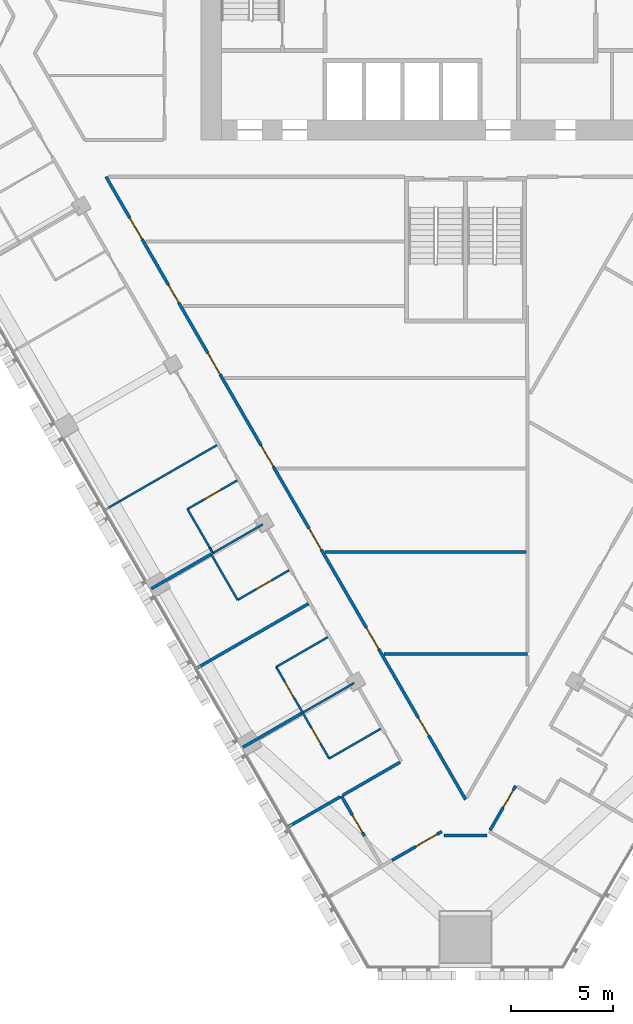
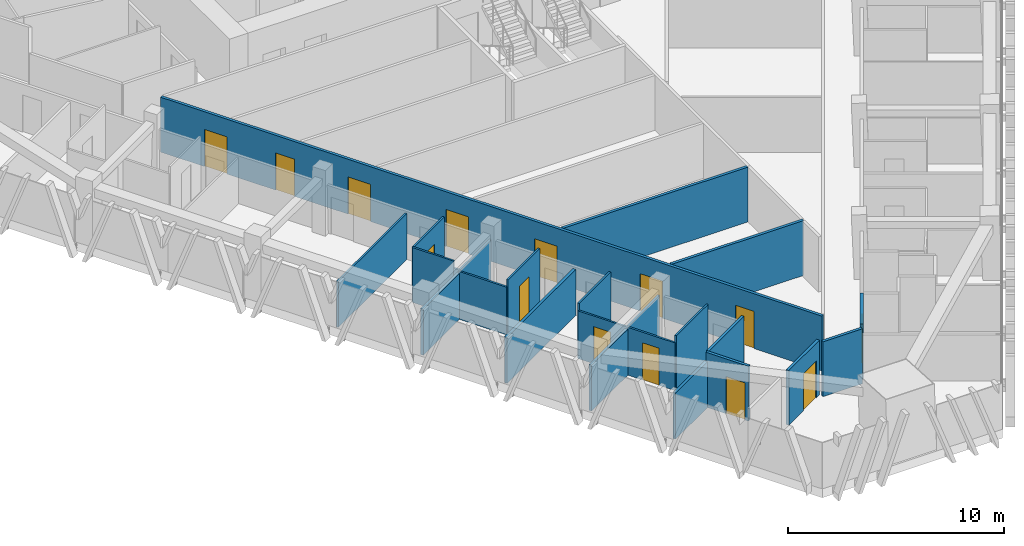
# One storey, part 10 of 18: 23 walls, 14 doors, 14 openings.
"""IFC4 building model written with IfcOpenShell, lengths in metres."""

from ifc_helpers import new_model, si_unit, direction, frame, frame_2d, origin, place, context, subcontext, project, spatial, rectangle, extrude, material, layer, layer_set, type_object, element, fill, save


model = new_model("IFC4")

# Units and contexts
model_context = context("Model", 3, precision=1e-05, world=origin(), true_north=direction((0.0, 1.0)))
body_context = subcontext(model_context, "Body", "Model", "MODEL_VIEW")
ifc_project = project(units=[si_unit("LENGTHUNIT", "METRE"), si_unit("AREAUNIT", "SQUARE_METRE"), si_unit("VOLUMEUNIT", "CUBIC_METRE"), si_unit("PLANEANGLEUNIT", "RADIAN"), si_unit("MASSUNIT", "GRAM", prefix="KILO")], contexts=[model_context])

# Site, building, storey
site_placement = place(None, origin())
site = spatial("IfcSite", under=ifc_project, at=site_placement, CompositionType="ELEMENT")
building_placement = place(site_placement, origin())
building = spatial("IfcBuilding", under=site, at=building_placement, Name="Altiplano Prism Tower", CompositionType="ELEMENT")
storey_placement = place(building_placement, frame((0.0, 0.0, 45.0)))
storey = spatial("IfcBuildingStorey", under=building, at=storey_placement, Name="L10", CompositionType="ELEMENT", Elevation=45.0)

# Walls
ifc_material_1 = material(Name="Plasterboard on steel stud", Category="steel")
ifc_layer_1 = layer(ifc_material_1, 0.10009765625)
ifc_layer_set_1 = layer_set([ifc_layer_1], Name="Plasterboard on steel stud")
wall_type_1 = type_object("IfcWallType", Name="Partition 100 unit", PredefinedType="PARTITIONING", material=ifc_layer_set_1)
wall_1_placement = place(storey_placement, frame((72.5810546875, 72.095703125, 0.0), z_axis=(0.0, 0.0, 1.0), x_axis=(-0.499816412211, 0.866131372301, 0.0)))
element("IfcWall", 1, at=wall_1_placement, inside=storey, type_object=wall_type_1, Name="Partition P02 L10 064", PredefinedType="PARTITIONING", context=body_context, shape_type="SweptSolid", body=[
    extrude(rectangle(XDim=0.2998046875, YDim=0.10009765625, at=frame_2d((0.14990234375, 0.0))), origin(), (0.0, 0.0, 1.0), 2.699951171875),
])
wall_2_placement = place(storey_placement, frame((72.43115234375, 72.35546875, 0.0), z_axis=(0.0, 0.0, 1.0), x_axis=(-0.50002983664, 0.866008176907, 0.0)))
element("IfcWall", 2, at=wall_2_placement, inside=storey, type_object=wall_type_1, Name="Partition P02 L10 065", PredefinedType="PARTITIONING", context=body_context, shape_type="SweptSolid", body=[
    extrude(rectangle(XDim=2.199951171875, YDim=0.10009765625, at=frame_2d((1.10009765625, 0.0))), origin(), (0.0, 0.0, 1.0), 3.10009765625),
])

# Wall, opening, door
wall_3_placement = place(storey_placement, frame((71.3310546875, 74.2607421875, 0.0), z_axis=(0.0, 0.0, 1.0), x_axis=(0.866048868473, 0.499959355765, 0.0)))
wall_3 = element("IfcWall", 3, at=wall_3_placement, inside=storey, type_object=wall_type_1, Name="Partition P02 L10 066", PredefinedType="PARTITIONING", context=body_context, shape_type="SweptSolid", body=[
    extrude(rectangle(XDim=2.824951171875, YDim=0.10009765625, at=frame_2d((1.41259765625, 0.0))), origin(), (0.0, 0.0, 1.0), 3.10009765625),
])
opening_1_placement = place(wall_3_placement, frame((1.0, 0.0, 0.0)))
opening_1 = element("IfcOpeningElement", 4, at=opening_1_placement, cuts=wall_3, Name="Opening D0384", PredefinedType="OPENING", context=body_context, shape_type="SweptSolid", body=[
    extrude(rectangle(XDim=0.89990234375, YDim=2.10009765625, at=frame_2d((0.449951171875, 1.050048828125))), frame((0.0, 0.060546875, 0.0), z_axis=(0.0, -1.0, 0.0), x_axis=(1.0, 0.0, 0.0)), (0.0, 0.0, 1.0), 0.12109375),
])
ifc_material_2 = material(Name="Timber", Category="wood")
door_type_1 = type_object("IfcDoorType", Name="Ensuite door 900 x 2100", OperationType="NOTDEFINED", PredefinedType="NOTDEFINED", material=ifc_material_2)
door_1_placement = place(opening_1_placement, origin())
door_1 = element("IfcDoor", 5, at=door_1_placement, inside=storey, type_object=door_type_1, Name="Door D0384", OperationType="SINGLE_SWING_RIGHT", OverallHeight=2.10009765625, OverallWidth=0.89990234375, PredefinedType="NOTDEFINED", context=body_context, shape_type="SweptSolid", body=[
    extrude(rectangle(XDim=0.89990234375, YDim=2.10009765625, at=frame_2d((0.449951171875, 1.050048828125))), frame((0.0, 0.02490234375, 0.0), z_axis=(0.0, -1.0, 0.0), x_axis=(1.0, 0.0, 0.0)), (0.0, 0.0, 1.0), 0.050048828125),
])
fill(opening_1, door_1)

wall_4_placement = place(storey_placement, frame((76.32763671875, 71.25634765625, 0.0), z_axis=(0.0, 0.0, 1.0), x_axis=(-0.866046596414, -0.499963291492, 0.0)))
wall_4 = element("IfcWall", 6, at=wall_4_placement, inside=storey, type_object=wall_type_1, Name="Partition P02 L10 069", PredefinedType="PARTITIONING", context=body_context, shape_type="SweptSolid", body=[
    extrude(rectangle(XDim=2.925048828125, YDim=0.10009765625, at=frame_2d((1.46240234375, 0.0))), origin(), (0.0, 0.0, 1.0), 3.10009765625),
])
opening_2_placement = place(wall_4_placement, frame((0.97509765625, 0.0, 0.0)))
opening_2 = element("IfcOpeningElement", 7, at=opening_2_placement, cuts=wall_4, Name="Opening D0386", PredefinedType="OPENING", context=body_context, shape_type="SweptSolid", body=[
    extrude(rectangle(XDim=0.89990234375, YDim=2.10009765625, at=frame_2d((0.449951171875, 1.050048828125))), frame((0.0, 0.060546875, 0.0), z_axis=(0.0, -1.0, 0.0), x_axis=(1.0, 0.0, 0.0)), (0.0, 0.0, 1.0), 0.12109375),
])
door_2_placement = place(opening_2_placement, origin())
door_2 = element("IfcDoor", 8, at=door_2_placement, inside=storey, type_object=door_type_1, Name="Door D0386", OperationType="SINGLE_SWING_LEFT", OverallHeight=2.10009765625, OverallWidth=0.89990234375, PredefinedType="NOTDEFINED", context=body_context, shape_type="SweptSolid", body=[
    extrude(rectangle(XDim=0.89990234375, YDim=2.10009765625, at=frame_2d((0.449951171875, 1.050048828125))), frame((0.0, 0.02490234375, 0.0), z_axis=(0.0, -1.0, 0.0), x_axis=(1.0, 0.0, 0.0)), (0.0, 0.0, 1.0), 0.050048828125),
])
fill(opening_2, door_2)

# Wall
wall_5_placement = place(storey_placement, frame((73.79443359375, 69.7939453125, 0.0), z_axis=(0.0, 0.0, 1.0), x_axis=(-0.500006934395, 0.866021400173, 0.0)))
element("IfcWall", 9, at=wall_5_placement, inside=storey, type_object=wall_type_1, Name="Partition P02 L10 070", PredefinedType="PARTITIONING", context=body_context, shape_type="SweptSolid", body=[
    extrude(rectangle(XDim=2.60009765625, YDim=0.10009765625, at=frame_2d((1.300048828125, 0.0))), origin(), (0.0, 0.0, 1.0), 2.699951171875),
])

# Wall, openings, doors
wall_6_placement = place(storey_placement, frame((78.29443359375, 61.999755859375, 0.0), z_axis=(0.0, 0.0, 1.0), x_axis=(-0.499971721724, 0.866041729639, 0.0)))
wall_6 = element("IfcWall", 10, at=wall_6_placement, inside=storey, type_object=wall_type_1, Name="Partition P02 L10 072", PredefinedType="PARTITIONING", context=body_context, shape_type="SweptSolid", body=[
    extrude(rectangle(XDim=5.199951171875, YDim=0.10009765625, at=frame_2d((2.60009765625, 0.0))), origin(), (0.0, 0.0, 1.0), 2.699951171875),
])
opening_3_placement = place(wall_6_placement, frame((3.449951171875, 0.0, 0.0)))
opening_3 = element("IfcOpeningElement", 11, at=opening_3_placement, cuts=wall_6, Name="Opening D0388", PredefinedType="OPENING", context=body_context, shape_type="SweptSolid", body=[
    extrude(rectangle(XDim=0.89990234375, YDim=2.10009765625, at=frame_2d((0.449951171875, 1.050048828125))), frame((0.0, 0.060546875, 0.0), z_axis=(0.0, -1.0, 0.0), x_axis=(1.0, 0.0, 0.0)), (0.0, 0.0, 1.0), 0.12109375),
])
opening_4_placement = place(wall_6_placement, frame((0.85009765625, 0.0, 0.0)))
opening_4 = element("IfcOpeningElement", 12, at=opening_4_placement, cuts=wall_6, Name="Opening D0390", PredefinedType="OPENING", context=body_context, shape_type="SweptSolid", body=[
    extrude(rectangle(XDim=0.89990234375, YDim=2.10009765625, at=frame_2d((0.449951171875, 1.050048828125))), frame((0.0, 0.060546875, 0.0), z_axis=(0.0, -1.0, 0.0), x_axis=(1.0, 0.0, 0.0)), (0.0, 0.0, 1.0), 0.12109375),
])
door_3_placement = place(opening_3_placement, origin())
door_3 = element("IfcDoor", 13, at=door_3_placement, inside=storey, type_object=door_type_1, Name="Door D0388", OperationType="SINGLE_SWING_LEFT", OverallHeight=2.10009765625, OverallWidth=0.89990234375, PredefinedType="NOTDEFINED", context=body_context, shape_type="SweptSolid", body=[
    extrude(rectangle(XDim=0.89990234375, YDim=2.10009765625, at=frame_2d((0.449951171875, 1.050048828125))), frame((0.0, 0.02490234375, 0.0), z_axis=(0.0, -1.0, 0.0), x_axis=(1.0, 0.0, 0.0)), (0.0, 0.0, 1.0), 0.050048828125),
])
fill(opening_3, door_3)
door_4_placement = place(opening_4_placement, origin())
door_4 = element("IfcDoor", 14, at=door_4_placement, inside=storey, type_object=door_type_1, Name="Door D0390", OperationType="SINGLE_SWING_LEFT", OverallHeight=2.10009765625, OverallWidth=0.89990234375, PredefinedType="NOTDEFINED", context=body_context, shape_type="SweptSolid", body=[
    extrude(rectangle(XDim=0.89990234375, YDim=2.10009765625, at=frame_2d((0.449951171875, 1.050048828125))), frame((0.0, 0.02490234375, 0.0), z_axis=(0.0, -1.0, 0.0), x_axis=(1.0, 0.0, 0.0)), (0.0, 0.0, 1.0), 0.050048828125),
])
fill(opening_4, door_4)

# Walls
wall_7_placement = place(storey_placement, frame((75.694580078125, 66.503173828125, 0.0), z_axis=(0.0, 0.0, 1.0), x_axis=(0.866025730634, 0.499999433879, 0.0)))
element("IfcWall", 15, at=wall_7_placement, inside=storey, type_object=wall_type_1, Name="Partition P02 L10 073", PredefinedType="PARTITIONING", context=body_context, shape_type="SweptSolid", body=[
    extrude(rectangle(XDim=2.9248046875, YDim=0.10009765625, at=frame_2d((1.46240234375, 0.0))), origin(), (0.0, 0.0, 1.0), 3.10009765625),
])
wall_8_placement = place(storey_placement, frame((80.82763671875, 63.462158203125, 0.0), z_axis=(0.0, 0.0, 1.0), x_axis=(-0.866046596414, -0.499963291492, 0.0)))
element("IfcWall", 16, at=wall_8_placement, inside=storey, type_object=wall_type_1, Name="Partition P02 L10 076", PredefinedType="PARTITIONING", context=body_context, shape_type="SweptSolid", body=[
    extrude(rectangle(XDim=2.925048828125, YDim=0.10009765625, at=frame_2d((1.46240234375, 0.0))), origin(), (0.0, 0.0, 1.0), 3.10009765625),
])
ifc_layer_2 = layer(ifc_material_1, 0.10009765625)
ifc_layer_set_2 = layer_set([ifc_layer_2], Name="Plasterboard on steel stud")
wall_type_2 = type_object("IfcWallType", Name="Partition 100 wet", PredefinedType="PARTITIONING", material=ifc_layer_set_2)
wall_9_placement = place(storey_placement, frame((67.282470703125, 74.232666015625, 0.0), z_axis=(0.0, 0.0, 1.0), x_axis=(0.866025401434, 0.500000004071, 0.0)))
element("IfcWall", 17, at=wall_9_placement, inside=storey, type_object=wall_type_2, Name="Partition P03 L10 063", PredefinedType="PARTITIONING", context=body_context, shape_type="SweptSolid", body=[
    extrude(rectangle(XDim=6.34521484375, YDim=0.10009765625, at=frame_2d((3.172607421875, 0.0))), origin(), (0.0, 0.0, 1.0), 2.60009765625),
])
wall_10_placement = place(storey_placement, frame((72.563720703125, 72.085693359375, 0.0), z_axis=(0.0, 0.0, 1.0), x_axis=(0.866048401274, 0.499960165064, 0.0)))
element("IfcWall", 18, at=wall_10_placement, inside=storey, type_object=wall_type_2, Name="Partition P03 L10 068", PredefinedType="PARTITIONING", context=body_context, shape_type="SweptSolid", body=[
    extrude(rectangle(XDim=2.844970703125, YDim=0.10009765625, at=frame_2d((1.42236328125, 0.0))), origin(), (0.0, 0.0, 1.0), 2.699951171875),
])
wall_11_placement = place(storey_placement, frame((77.037841796875, 64.2763671875, 0.0), z_axis=(0.0, 0.0, 1.0), x_axis=(0.866018712932, 0.500011588718, 0.0)))
element("IfcWall", 19, at=wall_11_placement, inside=storey, type_object=wall_type_2, Name="Partition P03 L10 075", PredefinedType="PARTITIONING", context=body_context, shape_type="SweptSolid", body=[
    extrude(rectangle(XDim=2.875, YDim=0.10009765625, at=frame_2d((1.4375, 0.0))), origin(), (0.0, 0.0, 1.0), 2.699951171875),
])
ifc_layer_3 = layer(ifc_material_1, 0.14990234375)
ifc_layer_set_3 = layer_set([ifc_layer_3], Name="Plasterboard on steel stud")
wall_type_3 = type_object("IfcWallType", Name="Partition 150 corridor", PredefinedType="PARTITIONING", material=ifc_layer_set_3)
wall_12_placement = place(storey_placement, frame((81.777587890625, 61.81689453125, 0.0), z_axis=(0.0, 0.0, 1.0), x_axis=(-0.866015446554, -0.500017246033, 0.0)))
element("IfcWall", 20, at=wall_12_placement, inside=storey, type_object=wall_type_3, Name="Partition P06 L10 010", PredefinedType="PARTITIONING", context=body_context, shape_type="SweptSolid", body=[
    extrude(rectangle(XDim=3.25, YDim=0.14990234375, at=frame_2d((1.625, 0.0))), origin(), (0.0, 0.0, 1.0), 3.10009765625),
])

# Wall, opening, door
wall_13_placement = place(storey_placement, frame((78.898193359375, 60.154296875, 0.0), z_axis=(0.0, 0.0, 1.0), x_axis=(0.499921036309, -0.866070988693, 0.0)))
wall_13 = element("IfcWall", 21, at=wall_13_placement, inside=storey, type_object=wall_type_3, Name="Partition P06 L10 011", PredefinedType="PARTITIONING", context=body_context, shape_type="SweptSolid", body=[
    extrude(rectangle(XDim=2.270263671875, YDim=0.14990234375, at=frame_2d((1.13525390625, 0.0))), origin(), (0.0, 0.0, 1.0), 3.10009765625),
])
opening_5_placement = place(wall_13_placement, frame((1.070068359375, 0.0, 0.0)))
opening_5 = element("IfcOpeningElement", 22, at=opening_5_placement, cuts=wall_13, Name="Opening D0391", PredefinedType="OPENING", context=body_context, shape_type="SweptSolid", body=[
    extrude(rectangle(XDim=1.0, YDim=2.10009765625, at=frame_2d((0.5, 1.050048828125))), frame((0.0, 0.08544921875, 0.0), z_axis=(0.0, -1.0, 0.0), x_axis=(1.0, 0.0, 0.0)), (0.0, 0.0, 1.0), 0.1708984375),
])
door_type_2 = type_object("IfcDoorType", Name="Room door 1000 x 2100", OperationType="NOTDEFINED", PredefinedType="NOTDEFINED", material=ifc_material_2)
door_5_placement = place(opening_5_placement, origin())
door_5 = element("IfcDoor", 23, at=door_5_placement, inside=storey, type_object=door_type_2, Name="Door D0391", OperationType="SINGLE_SWING_LEFT", OverallHeight=2.10009765625, OverallWidth=1.0, PredefinedType="NOTDEFINED", context=body_context, shape_type="SweptSolid", body=[
    extrude(rectangle(XDim=1.0, YDim=2.10009765625, at=frame_2d((0.5, 1.050048828125))), frame((0.0, 0.02490234375, 0.0), z_axis=(0.0, -1.0, 0.0), x_axis=(1.0, 0.0, 0.0)), (0.0, 0.0, 1.0), 0.050048828125),
])
fill(opening_5, door_5)

wall_14_placement = place(storey_placement, frame((81.38134765625, 56.993408203125, 0.0), z_axis=(0.0, 0.0, 1.0), x_axis=(0.866004557827, 0.500036104519, 0.0)))
wall_14 = element("IfcWall", 24, at=wall_14_placement, inside=storey, type_object=wall_type_3, Name="Partition P06 L10 013", PredefinedType="PARTITIONING", context=body_context, shape_type="SweptSolid", body=[
    extrude(rectangle(XDim=2.829833984375, YDim=0.14990234375, at=frame_2d((1.4150390625, 0.0))), origin(), (0.0, 0.0, 1.0), 3.10009765625),
])
opening_6_placement = place(wall_14_placement, frame((1.35498046875, 0.0, 0.0)))
opening_6 = element("IfcOpeningElement", 25, at=opening_6_placement, cuts=wall_14, Name="Opening D0392", PredefinedType="OPENING", context=body_context, shape_type="SweptSolid", body=[
    extrude(rectangle(XDim=1.199951171875, YDim=2.10009765625, at=frame_2d((0.60009765625, 1.050048828125))), frame((0.0, 0.08544921875, 0.0), z_axis=(0.0, -1.0, 0.0), x_axis=(1.0, 0.0, 0.0)), (0.0, 0.0, 1.0), 0.1708984375),
])
door_type_3 = type_object("IfcDoorType", Name="Shared room door 1200 x 2100", OperationType="NOTDEFINED", PredefinedType="NOTDEFINED", material=ifc_material_2)
door_6_placement = place(opening_6_placement, origin())
door_6 = element("IfcDoor", 26, at=door_6_placement, inside=storey, type_object=door_type_3, Name="Door D0392", OperationType="SINGLE_SWING_LEFT", OverallHeight=2.10009765625, OverallWidth=1.199951171875, PredefinedType="NOTDEFINED", context=body_context, shape_type="SweptSolid", body=[
    extrude(rectangle(XDim=1.199951171875, YDim=2.10009765625, at=frame_2d((0.60009765625, 1.050048828125))), frame((0.0, 0.02490234375, 0.0), z_axis=(0.0, -1.0, 0.0), x_axis=(1.0, 0.0, 0.0)), (0.0, 0.0, 1.0), 0.050048828125),
])
fill(opening_6, door_6)

# Wall
wall_15_placement = place(storey_placement, frame((83.9453125, 58.21240234375, 0.0), z_axis=(0.0, 0.0, 1.0), x_axis=(1.0, 0.0, 0.0)))
element("IfcWall", 27, at=wall_15_placement, inside=storey, type_object=wall_type_3, Name="Partition P06 L10 014", PredefinedType="PARTITIONING", context=body_context, shape_type="SweptSolid", body=[
    extrude(rectangle(XDim=2.109375, YDim=0.14990234375, at=frame_2d((1.0546875, 0.0))), origin(), (0.0, 0.0, 1.0), 3.10009765625),
])

# Wall, opening, door
wall_16_placement = place(storey_placement, frame((86.205322265625, 58.473388671875, 0.0), z_axis=(0.0, 0.0, 1.0), x_axis=(0.500090717682, 0.865973021571, 0.0)))
wall_16 = element("IfcWall", 28, at=wall_16_placement, inside=storey, type_object=wall_type_3, Name="Partition P06 L10 015", PredefinedType="PARTITIONING", context=body_context, shape_type="SweptSolid", body=[
    extrude(rectangle(XDim=2.52490234375, YDim=0.14990234375, at=frame_2d((1.262451171875, 0.0))), origin(), (0.0, 0.0, 1.0), 3.10009765625),
])
opening_7_placement = place(wall_16_placement, frame((1.284912109375, 0.0, 0.0)))
opening_7 = element("IfcOpeningElement", 29, at=opening_7_placement, cuts=wall_16, Name="Opening D0393", PredefinedType="OPENING", context=body_context, shape_type="SweptSolid", body=[
    extrude(rectangle(XDim=1.0, YDim=2.10009765625, at=frame_2d((0.5, 1.050048828125))), frame((0.0, 0.08544921875, 0.0), z_axis=(0.0, -1.0, 0.0), x_axis=(1.0, 0.0, 0.0)), (0.0, 0.0, 1.0), 0.1708984375),
])
door_7_placement = place(opening_7_placement, origin())
door_7 = element("IfcDoor", 30, at=door_7_placement, inside=storey, type_object=door_type_2, Name="Door D0393", OperationType="SINGLE_SWING_LEFT", OverallHeight=2.10009765625, OverallWidth=1.0, PredefinedType="NOTDEFINED", context=body_context, shape_type="SweptSolid", body=[
    extrude(rectangle(XDim=1.0, YDim=2.10009765625, at=frame_2d((0.5, 1.050048828125))), frame((0.0, 0.02490234375, 0.0), z_axis=(0.0, -1.0, 0.0), x_axis=(1.0, 0.0, 0.0)), (0.0, 0.0, 1.0), 0.050048828125),
])
fill(opening_7, door_7)

# Wall, openings, doors
wall_17_placement = place(storey_placement, frame((85.0, 59.9853515625, 0.0), z_axis=(0.0, 0.0, 1.0), x_axis=(-0.499997052475, 0.866027105532, 0.0)))
wall_17 = element("IfcWall", 31, at=wall_17_placement, inside=storey, type_object=wall_type_3, Name="Partition P06 L10 033", PredefinedType="PARTITIONING", context=body_context, shape_type="SweptSolid", body=[
    extrude(rectangle(XDim=35.350830078125, YDim=0.14990234375, at=frame_2d((17.67529296875, 0.0))), origin(), (0.0, 0.0, 1.0), 3.10009765625),
])
opening_8_placement = place(wall_17_placement, frame((18.89501953125, 0.0, 0.0)))
opening_8 = element("IfcOpeningElement", 32, at=opening_8_placement, cuts=wall_17, Name="Opening D0409", PredefinedType="OPENING", context=body_context, shape_type="SweptSolid", body=[
    extrude(rectangle(XDim=1.199951171875, YDim=2.10009765625, at=frame_2d((0.60009765625, 1.050048828125))), frame((0.0, 0.08544921875, 0.0), z_axis=(0.0, -1.0, 0.0), x_axis=(1.0, 0.0, 0.0)), (0.0, 0.0, 1.0), 0.1708984375),
])
opening_9_placement = place(wall_17_placement, frame((24.135009765625, 0.0, 0.0)))
opening_9 = element("IfcOpeningElement", 33, at=opening_9_placement, cuts=wall_17, Name="Opening D0412", PredefinedType="OPENING", context=body_context, shape_type="SweptSolid", body=[
    extrude(rectangle(XDim=1.199951171875, YDim=2.10009765625, at=frame_2d((0.60009765625, 1.050048828125))), frame((0.0, 0.08544921875, 0.0), z_axis=(0.0, -1.0, 0.0), x_axis=(1.0, 0.0, 0.0)), (0.0, 0.0, 1.0), 0.1708984375),
])
opening_10_placement = place(wall_17_placement, frame((14.175048828125, 0.0, 0.0)))
opening_10 = element("IfcOpeningElement", 34, at=opening_10_placement, cuts=wall_17, Name="Opening D0413", PredefinedType="OPENING", context=body_context, shape_type="SweptSolid", body=[
    extrude(rectangle(XDim=1.199951171875, YDim=2.10009765625, at=frame_2d((0.60009765625, 1.050048828125))), frame((0.0, 0.08544921875, 0.0), z_axis=(0.0, -1.0, 0.0), x_axis=(1.0, 0.0, 0.0)), (0.0, 0.0, 1.0), 0.1708984375),
])
opening_11_placement = place(wall_17_placement, frame((31.81201171875, 0.0, 0.0)))
opening_11 = element("IfcOpeningElement", 35, at=opening_11_placement, cuts=wall_17, Name="Opening D0414", PredefinedType="OPENING", context=body_context, shape_type="SweptSolid", body=[
    extrude(rectangle(XDim=1.199951171875, YDim=2.10009765625, at=frame_2d((0.60009765625, 1.050048828125))), frame((0.0, 0.08544921875, 0.0), z_axis=(0.0, -1.0, 0.0), x_axis=(1.0, 0.0, 0.0)), (0.0, 0.0, 1.0), 0.1708984375),
])
opening_12_placement = place(wall_17_placement, frame((8.541015625, 0.0, 0.0)))
opening_12 = element("IfcOpeningElement", 36, at=opening_12_placement, cuts=wall_17, Name="Opening D0415", PredefinedType="OPENING", context=body_context, shape_type="SweptSolid", body=[
    extrude(rectangle(XDim=1.199951171875, YDim=2.10009765625, at=frame_2d((0.60009765625, 1.050048828125))), frame((0.0, 0.08544921875, 0.0), z_axis=(0.0, -1.0, 0.0), x_axis=(1.0, 0.0, 0.0)), (0.0, 0.0, 1.0), 0.1708984375),
])
opening_13_placement = place(wall_17_placement, frame((28.2060546875, 0.0, 0.0)))
opening_13 = element("IfcOpeningElement", 37, at=opening_13_placement, cuts=wall_17, Name="Opening D0417", PredefinedType="OPENING", context=body_context, shape_type="SweptSolid", body=[
    extrude(rectangle(XDim=1.0, YDim=2.10009765625, at=frame_2d((0.5, 1.050048828125))), frame((0.0, 0.08544921875, 0.0), z_axis=(0.0, -1.0, 0.0), x_axis=(1.0, 0.0, 0.0)), (0.0, 0.0, 1.0), 0.1708984375),
])
opening_14_placement = place(wall_17_placement, frame((3.634033203125, 0.0, 0.0)))
opening_14 = element("IfcOpeningElement", 38, at=opening_14_placement, cuts=wall_17, Name="Opening D0419", PredefinedType="OPENING", context=body_context, shape_type="SweptSolid", body=[
    extrude(rectangle(XDim=1.0, YDim=2.10009765625, at=frame_2d((0.5, 1.050048828125))), frame((0.0, 0.08544921875, 0.0), z_axis=(0.0, -1.0, 0.0), x_axis=(1.0, 0.0, 0.0)), (0.0, 0.0, 1.0), 0.1708984375),
])
door_8_placement = place(opening_8_placement, origin())
door_8 = element("IfcDoor", 39, at=door_8_placement, inside=storey, type_object=door_type_3, Name="Door D0409", OperationType="SINGLE_SWING_LEFT", OverallHeight=2.10009765625, OverallWidth=1.199951171875, PredefinedType="NOTDEFINED", context=body_context, shape_type="SweptSolid", body=[
    extrude(rectangle(XDim=1.199951171875, YDim=2.10009765625, at=frame_2d((0.60009765625, 1.050048828125))), frame((0.0, 0.02490234375, 0.0), z_axis=(0.0, -1.0, 0.0), x_axis=(1.0, 0.0, 0.0)), (0.0, 0.0, 1.0), 0.050048828125),
])
fill(opening_8, door_8)
door_9_placement = place(opening_9_placement, origin())
door_9 = element("IfcDoor", 40, at=door_9_placement, inside=storey, type_object=door_type_3, Name="Door D0412", OperationType="SINGLE_SWING_LEFT", OverallHeight=2.10009765625, OverallWidth=1.199951171875, PredefinedType="NOTDEFINED", context=body_context, shape_type="SweptSolid", body=[
    extrude(rectangle(XDim=1.199951171875, YDim=2.10009765625, at=frame_2d((0.60009765625, 1.050048828125))), frame((0.0, 0.02490234375, 0.0), z_axis=(0.0, -1.0, 0.0), x_axis=(1.0, 0.0, 0.0)), (0.0, 0.0, 1.0), 0.050048828125),
])
fill(opening_9, door_9)
door_10_placement = place(opening_10_placement, origin())
door_10 = element("IfcDoor", 41, at=door_10_placement, inside=storey, type_object=door_type_3, Name="Door D0413", OperationType="SINGLE_SWING_RIGHT", OverallHeight=2.10009765625, OverallWidth=1.199951171875, PredefinedType="NOTDEFINED", context=body_context, shape_type="SweptSolid", body=[
    extrude(rectangle(XDim=1.199951171875, YDim=2.10009765625, at=frame_2d((0.60009765625, 1.050048828125))), frame((0.0, 0.02490234375, 0.0), z_axis=(0.0, -1.0, 0.0), x_axis=(1.0, 0.0, 0.0)), (0.0, 0.0, 1.0), 0.050048828125),
])
fill(opening_10, door_10)
door_11_placement = place(opening_11_placement, origin())
door_11 = element("IfcDoor", 42, at=door_11_placement, inside=storey, type_object=door_type_3, Name="Door D0414", OperationType="SINGLE_SWING_LEFT", OverallHeight=2.10009765625, OverallWidth=1.199951171875, PredefinedType="NOTDEFINED", context=body_context, shape_type="SweptSolid", body=[
    extrude(rectangle(XDim=1.199951171875, YDim=2.10009765625, at=frame_2d((0.60009765625, 1.050048828125))), frame((0.0, 0.02490234375, 0.0), z_axis=(0.0, -1.0, 0.0), x_axis=(1.0, 0.0, 0.0)), (0.0, 0.0, 1.0), 0.050048828125),
])
fill(opening_11, door_11)
door_12_placement = place(opening_12_placement, origin())
door_12 = element("IfcDoor", 43, at=door_12_placement, inside=storey, type_object=door_type_3, Name="Door D0415", OperationType="SINGLE_SWING_RIGHT", OverallHeight=2.10009765625, OverallWidth=1.199951171875, PredefinedType="NOTDEFINED", context=body_context, shape_type="SweptSolid", body=[
    extrude(rectangle(XDim=1.199951171875, YDim=2.10009765625, at=frame_2d((0.60009765625, 1.050048828125))), frame((0.0, 0.02490234375, 0.0), z_axis=(0.0, -1.0, 0.0), x_axis=(1.0, 0.0, 0.0)), (0.0, 0.0, 1.0), 0.050048828125),
])
fill(opening_12, door_12)
door_type_4 = type_object("IfcDoorType", Name="Store door 1000 x 2100", OperationType="NOTDEFINED", PredefinedType="NOTDEFINED", material=ifc_material_2)
door_13_placement = place(opening_13_placement, origin())
door_13 = element("IfcDoor", 44, at=door_13_placement, inside=storey, type_object=door_type_4, Name="Door D0417", OperationType="SINGLE_SWING_LEFT", OverallHeight=2.10009765625, OverallWidth=1.0, PredefinedType="NOTDEFINED", context=body_context, shape_type="SweptSolid", body=[
    extrude(rectangle(XDim=1.0, YDim=2.10009765625, at=frame_2d((0.5, 1.050048828125))), frame((0.0, 0.02490234375, 0.0), z_axis=(0.0, -1.0, 0.0), x_axis=(1.0, 0.0, 0.0)), (0.0, 0.0, 1.0), 0.050048828125),
])
fill(opening_13, door_13)
door_14_placement = place(opening_14_placement, origin())
door_14 = element("IfcDoor", 45, at=door_14_placement, inside=storey, type_object=door_type_4, Name="Door D0419", OperationType="SINGLE_SWING_RIGHT", OverallHeight=2.10009765625, OverallWidth=1.0, PredefinedType="NOTDEFINED", context=body_context, shape_type="SweptSolid", body=[
    extrude(rectangle(XDim=1.0, YDim=2.10009765625, at=frame_2d((0.5, 1.050048828125))), frame((0.0, 0.02490234375, 0.0), z_axis=(0.0, -1.0, 0.0), x_axis=(1.0, 0.0, 0.0)), (0.0, 0.0, 1.0), 0.050048828125),
])
fill(opening_14, door_14)

# Walls
ifc_layer_4 = layer(ifc_material_1, 0.14990234375)
ifc_layer_set_4 = layer_set([ifc_layer_4], Name="Plasterboard on steel stud")
wall_type_4 = type_object("IfcWallType", Name="Partition 150 party", PredefinedType="PARTITIONING", material=ifc_layer_set_4)
wall_18_placement = place(storey_placement, frame((69.550048828125, 70.345703125, 0.0), z_axis=(0.0, 0.0, 1.0), x_axis=(0.866020560687, 0.500008388397, 0.0)))
element("IfcWall", 46, at=wall_18_placement, inside=storey, type_object=wall_type_4, Name="Partition P01 L10 067", PredefinedType="PARTITIONING", context=body_context, shape_type="SweptSolid", body=[
    extrude(rectangle(XDim=3.39990234375, YDim=0.14990234375, at=frame_2d((1.699951171875, 0.0))), origin(), (0.0, 0.0, 1.0), 2.60009765625),
])
wall_19_placement = place(storey_placement, frame((71.782470703125, 66.4384765625, 0.0), z_axis=(0.0, 0.0, 1.0), x_axis=(0.866025401434, 0.500000004071, 0.0)))
element("IfcWall", 47, at=wall_19_placement, inside=storey, type_object=wall_type_4, Name="Partition P01 L10 071", PredefinedType="PARTITIONING", context=body_context, shape_type="SweptSolid", body=[
    extrude(rectangle(XDim=6.34521484375, YDim=0.14990234375, at=frame_2d((3.172607421875, 0.0))), origin(), (0.0, 0.0, 1.0), 2.60009765625),
])
wall_20_placement = place(storey_placement, frame((74.050048828125, 62.55126953125, 0.0), z_axis=(0.0, 0.0, 1.0), x_axis=(0.866014461049, 0.500018952895, 0.0)))
element("IfcWall", 48, at=wall_20_placement, inside=storey, type_object=wall_type_4, Name="Partition P01 L10 074", PredefinedType="PARTITIONING", context=body_context, shape_type="SweptSolid", body=[
    extrude(rectangle(XDim=3.349853515625, YDim=0.14990234375, at=frame_2d((1.6748046875, 0.0))), origin(), (0.0, 0.0, 1.0), 2.60009765625),
])
wall_21_placement = place(storey_placement, frame((76.282470703125, 58.644287109375, 0.0), z_axis=(0.0, 0.0, 1.0), x_axis=(0.866066880077, 0.499928154072, 0.0)))
element("IfcWall", 49, at=wall_21_placement, inside=storey, type_object=wall_type_4, Name="Partition P01 L10 077", PredefinedType="PARTITIONING", context=body_context, shape_type="SweptSolid", body=[
    extrude(rectangle(XDim=2.9453125, YDim=0.14990234375, at=frame_2d((1.47265625, 0.0))), origin(), (0.0, 0.0, 1.0), 2.60009765625),
])
wall_22_placement = place(storey_placement, frame((78.10009765625, 72.161376953125, 0.0), z_axis=(0.0, 0.0, 1.0), x_axis=(1.0, 0.0, 0.0)))
element("IfcWall", 50, at=wall_22_placement, inside=storey, type_object=wall_type_4, Name="Partition P01 L10 111", PredefinedType="PARTITIONING", context=body_context, shape_type="SweptSolid", body=[
    extrude(rectangle(XDim=9.88134765625, YDim=0.14990234375, at=frame_2d((4.940673828125, 0.0))), origin(), (0.0, 0.0, 1.0), 3.10009765625),
])
wall_23_placement = place(storey_placement, frame((81.001708984375, 67.135498046875, 0.0), z_axis=(0.0, 0.0, 1.0), x_axis=(1.0, 0.0, 0.0)))
element("IfcWall", 51, at=wall_23_placement, inside=storey, type_object=wall_type_4, Name="Partition P01 L10 114", PredefinedType="PARTITIONING", context=body_context, shape_type="SweptSolid", body=[
    extrude(rectangle(XDim=7.054931640625, YDim=0.14990234375, at=frame_2d((3.52734375, 0.0))), origin(), (0.0, 0.0, 1.0), 3.10009765625),
])

save(model, "model.ifc")
